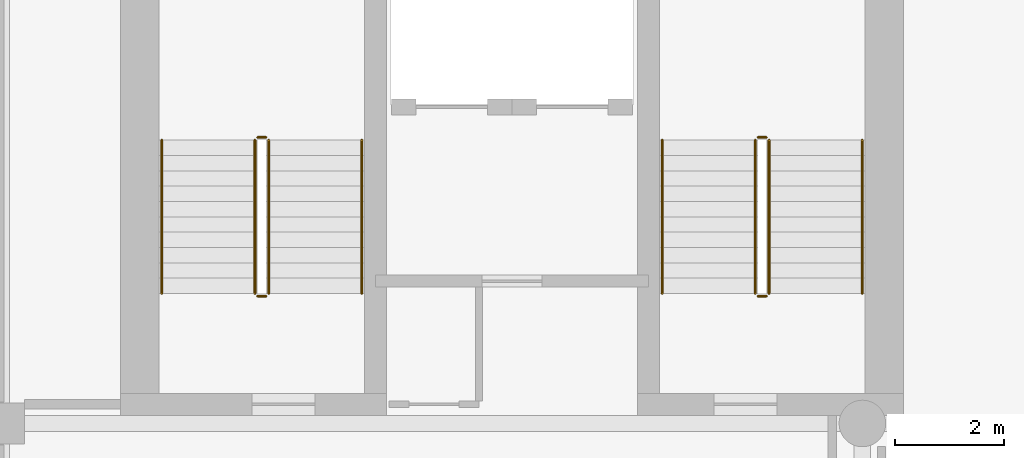
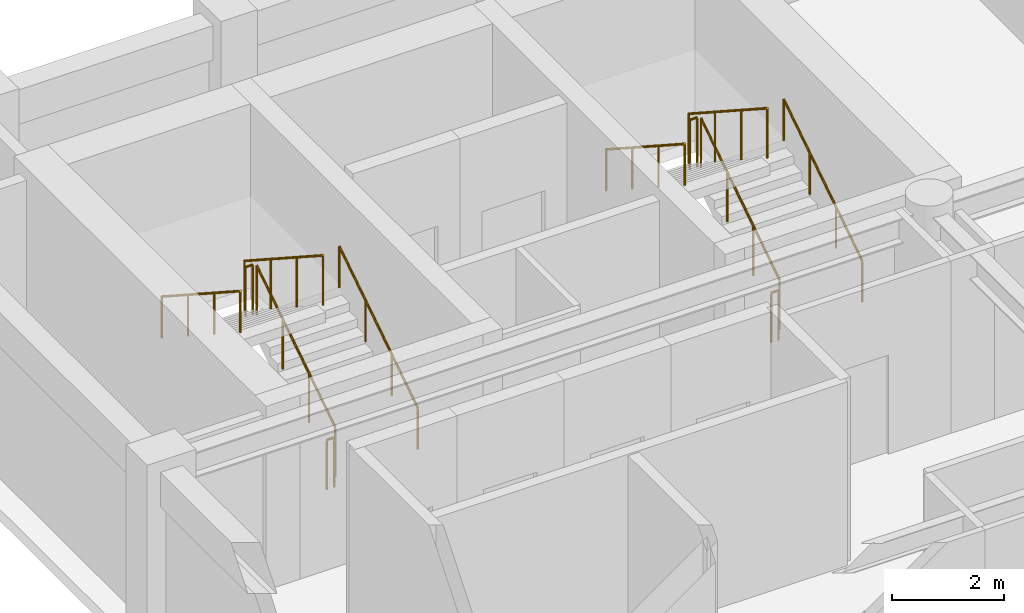
# One storey, part 7 of 8: 12 railings.
"""IFC4 building model written with IfcOpenShell, lengths in metres."""

from ifc_helpers import new_model, si_unit, direction, frame, origin, origin_2d, place, context, subcontext, project, spatial, circle, extrude, material, type_object, element, save


model = new_model("IFC4")

# Units and contexts
model_context = context("Model", 3, precision=1e-05, world=origin(), true_north=direction((0.0, 1.0)))
body_context = subcontext(model_context, "Body", "Model", "MODEL_VIEW")
ifc_project = project(units=[si_unit("LENGTHUNIT", "METRE"), si_unit("AREAUNIT", "SQUARE_METRE"), si_unit("VOLUMEUNIT", "CUBIC_METRE"), si_unit("PLANEANGLEUNIT", "RADIAN"), si_unit("MASSUNIT", "GRAM", prefix="KILO")], contexts=[model_context])

# Site, building, storey
site_placement = place(None, origin())
site = spatial("IfcSite", under=ifc_project, at=site_placement, CompositionType="ELEMENT")
building_placement = place(site_placement, origin())
building = spatial("IfcBuilding", under=site, at=building_placement, Name="Sulina Concourse Tower", CompositionType="ELEMENT")
storey_placement = place(building_placement, frame((0.0, 0.0, 260.60009765625)))
storey = spatial("IfcBuildingStorey", under=building, at=storey_placement, Name="L63", CompositionType="ELEMENT", Elevation=260.60009765625)

# Railings
ifc_material_1 = material(Name="Galvanised steel railing", Category="steel")
railing_type_1 = type_object("IfcRailingType", Name="Core Stair Steel Guardrail 1150mm", PredefinedType="GUARDRAIL", material=ifc_material_1)
railing_1_placement = place(storey_placement, frame((5.554931640625, 36.375, 0.181640625)))
element("IfcRailing", 1, at=railing_1_placement, inside=storey, type_object=railing_type_1, Name="L63 ST-1 stair guard 1", PredefinedType="GUARDRAIL", context=body_context, shape_type="SweptSolid", body=[
    extrude(circle(Radius=0.02392578125, at=origin_2d()), frame((0.0, 0.0, 1.076171875), z_axis=(0.0, 0.838672427954, 0.544636170843), x_axis=(-1.0, 0.0, 0.0)), (0.0, 0.0, 1.0), 3.338623046875),
    extrude(circle(Radius=0.02099609375, at=origin_2d()), origin(), (0.0, 0.0, 1.0), 1.052001953125),
    extrude(circle(Radius=0.02099609375, at=origin_2d()), frame((0.0, 0.933349609375, 0.606201171875)), (0.0, 0.0, 1.0), 1.052001953125),
    extrude(circle(Radius=0.02099609375, at=origin_2d()), frame((0.0, 1.86669921875, 1.212158203125)), (0.0, 0.0, 1.0), 1.052001953125),
    extrude(circle(Radius=0.02099609375, at=origin_2d()), frame((0.0, 2.800048828125, 1.818359375)), (0.0, 0.0, 1.0), 1.052001953125),
])
railing_2_placement = place(storey_placement, frame((5.5048828125, 39.22509765625, 2.0)))
element("IfcRailing", 2, at=railing_2_placement, inside=storey, type_object=railing_type_1, Name="L63 ST-1 stair guard 2", PredefinedType="GUARDRAIL", context=body_context, shape_type="SweptSolid", body=[
    extrude(circle(Radius=0.02392578125, at=origin_2d()), frame((0.0, 0.0, 1.076171875), z_axis=(-1.0, 0.0, 0.0), x_axis=(0.0, -1.0, 0.0)), (0.0, 0.0, 1.0), 0.14990234375),
    extrude(circle(Radius=0.02099609375, at=origin_2d()), origin(), (0.0, 0.0, 1.0), 1.052001953125),
    extrude(circle(Radius=0.02099609375, at=origin_2d()), frame((-0.14990234375, 0.0, 0.0)), (0.0, 0.0, 1.0), 1.052001953125),
])
railing_3_placement = place(storey_placement, frame((5.304931640625, 39.175048828125, 2.181640625)))
element("IfcRailing", 3, at=railing_3_placement, inside=storey, type_object=railing_type_1, Name="L63 ST-1 stair guard 3", PredefinedType="GUARDRAIL", context=body_context, shape_type="SweptSolid", body=[
    extrude(circle(Radius=0.02392578125, at=origin_2d()), frame((0.0, 0.0, 1.076171875), z_axis=(0.0, -0.838672427954, 0.544636170843), x_axis=(1.0, 0.0, 0.0)), (0.0, 0.0, 1.0), 3.338623046875),
    extrude(circle(Radius=0.02099609375, at=origin_2d()), origin(), (0.0, 0.0, 1.0), 1.052001953125),
    extrude(circle(Radius=0.02099609375, at=origin_2d()), frame((0.0, -0.933349609375, 0.606201171875)), (0.0, 0.0, 1.0), 1.052001953125),
    extrude(circle(Radius=0.02099609375, at=origin_2d()), frame((0.0, -1.86669921875, 1.212158203125)), (0.0, 0.0, 1.0), 1.052001953125),
    extrude(circle(Radius=0.02099609375, at=origin_2d()), frame((0.0, -2.800048828125, 1.818359375)), (0.0, 0.0, 1.0), 1.052001953125),
])
railing_4_placement = place(storey_placement, frame((5.5048828125, 36.324951171875, 0.0)))
element("IfcRailing", 4, at=railing_4_placement, inside=storey, type_object=railing_type_1, Name="L63 ST-1 stair guard 4", PredefinedType="GUARDRAIL", context=body_context, shape_type="SweptSolid", body=[
    extrude(circle(Radius=0.02392578125, at=origin_2d()), frame((0.0, 0.0, 1.076171875), z_axis=(-1.0, 0.0, 0.0), x_axis=(0.0, -1.0, 0.0)), (0.0, 0.0, 1.0), 0.14990234375),
    extrude(circle(Radius=0.02099609375, at=origin_2d()), origin(), (0.0, 0.0, 1.0), 1.052001953125),
    extrude(circle(Radius=0.02099609375, at=origin_2d()), frame((-0.14990234375, 0.0, 0.0)), (0.0, 0.0, 1.0), 1.052001953125),
])
railing_5_placement = place(storey_placement, frame((14.695068359375, 36.375, 0.181640625)))
element("IfcRailing", 5, at=railing_5_placement, inside=storey, type_object=railing_type_1, Name="L63 ST-2 stair guard 1", PredefinedType="GUARDRAIL", context=body_context, shape_type="SweptSolid", body=[
    extrude(circle(Radius=0.02392578125, at=origin_2d()), frame((0.0, 0.0, 1.076171875), z_axis=(0.0, 0.838672427954, 0.544636170843), x_axis=(-1.0, 0.0, 0.0)), (0.0, 0.0, 1.0), 3.338623046875),
    extrude(circle(Radius=0.02099609375, at=origin_2d()), origin(), (0.0, 0.0, 1.0), 1.052001953125),
    extrude(circle(Radius=0.02099609375, at=origin_2d()), frame((0.0, 0.933349609375, 0.606201171875)), (0.0, 0.0, 1.0), 1.052001953125),
    extrude(circle(Radius=0.02099609375, at=origin_2d()), frame((0.0, 1.86669921875, 1.212158203125)), (0.0, 0.0, 1.0), 1.052001953125),
    extrude(circle(Radius=0.02099609375, at=origin_2d()), frame((0.0, 2.800048828125, 1.818359375)), (0.0, 0.0, 1.0), 1.052001953125),
])
railing_6_placement = place(storey_placement, frame((14.64501953125, 39.22509765625, 2.0)))
element("IfcRailing", 6, at=railing_6_placement, inside=storey, type_object=railing_type_1, Name="L63 ST-2 stair guard 2", PredefinedType="GUARDRAIL", context=body_context, shape_type="SweptSolid", body=[
    extrude(circle(Radius=0.02392578125, at=origin_2d()), frame((0.0, 0.0, 1.076171875), z_axis=(-1.0, 0.0, 0.0), x_axis=(0.0, -1.0, 0.0)), (0.0, 0.0, 1.0), 0.14990234375),
    extrude(circle(Radius=0.02099609375, at=origin_2d()), origin(), (0.0, 0.0, 1.0), 1.052001953125),
    extrude(circle(Radius=0.02099609375, at=origin_2d()), frame((-0.14990234375, 0.0, 0.0)), (0.0, 0.0, 1.0), 1.052001953125),
])
railing_7_placement = place(storey_placement, frame((14.445068359375, 39.175048828125, 2.181640625)))
element("IfcRailing", 7, at=railing_7_placement, inside=storey, type_object=railing_type_1, Name="L63 ST-2 stair guard 3", PredefinedType="GUARDRAIL", context=body_context, shape_type="SweptSolid", body=[
    extrude(circle(Radius=0.02392578125, at=origin_2d()), frame((0.0, 0.0, 1.076171875), z_axis=(0.0, -0.838672427954, 0.544636170843), x_axis=(1.0, 0.0, 0.0)), (0.0, 0.0, 1.0), 3.338623046875),
    extrude(circle(Radius=0.02099609375, at=origin_2d()), origin(), (0.0, 0.0, 1.0), 1.052001953125),
    extrude(circle(Radius=0.02099609375, at=origin_2d()), frame((0.0, -0.933349609375, 0.606201171875)), (0.0, 0.0, 1.0), 1.052001953125),
    extrude(circle(Radius=0.02099609375, at=origin_2d()), frame((0.0, -1.86669921875, 1.212158203125)), (0.0, 0.0, 1.0), 1.052001953125),
    extrude(circle(Radius=0.02099609375, at=origin_2d()), frame((0.0, -2.800048828125, 1.818359375)), (0.0, 0.0, 1.0), 1.052001953125),
])
railing_8_placement = place(storey_placement, frame((14.64501953125, 36.324951171875, 0.0)))
element("IfcRailing", 8, at=railing_8_placement, inside=storey, type_object=railing_type_1, Name="L63 ST-2 stair guard 4", PredefinedType="GUARDRAIL", context=body_context, shape_type="SweptSolid", body=[
    extrude(circle(Radius=0.02392578125, at=origin_2d()), frame((0.0, 0.0, 1.076171875), z_axis=(-1.0, 0.0, 0.0), x_axis=(0.0, -1.0, 0.0)), (0.0, 0.0, 1.0), 0.14990234375),
    extrude(circle(Radius=0.02099609375, at=origin_2d()), origin(), (0.0, 0.0, 1.0), 1.052001953125),
    extrude(circle(Radius=0.02099609375, at=origin_2d()), frame((-0.14990234375, 0.0, 0.0)), (0.0, 0.0, 1.0), 1.052001953125),
])
ifc_material_2 = material(Name="Galvanised steel railing", Category="steel")
railing_type_2 = type_object("IfcRailingType", Name="Stair Wall Steel Handrail 920mm", PredefinedType="HANDRAIL", material=ifc_material_2)
railing_9_placement = place(storey_placement, frame((7.2548828125, 36.375, 0.181640625)))
element("IfcRailing", 9, at=railing_9_placement, inside=storey, type_object=railing_type_2, Name="L63 ST-1 stair handrail 1", PredefinedType="HANDRAIL", context=body_context, shape_type="SweptSolid", body=[
    extrude(circle(Radius=0.02392578125, at=origin_2d()), frame((0.0, 0.0, 0.89599609375), z_axis=(0.0, 0.838672427954, 0.544636170843), x_axis=(-1.0, 0.0, 0.0)), (0.0, 0.0, 1.0), 3.338623046875),
    extrude(circle(Radius=0.02099609375, at=origin_2d()), origin(), (0.0, 0.0, 1.0), 0.871826171875),
    extrude(circle(Radius=0.02099609375, at=origin_2d()), frame((0.0, 0.933349609375, 0.606201171875)), (0.0, 0.0, 1.0), 0.871826171875),
    extrude(circle(Radius=0.02099609375, at=origin_2d()), frame((0.0, 1.86669921875, 1.212158203125)), (0.0, 0.0, 1.0), 0.871826171875),
    extrude(circle(Radius=0.02099609375, at=origin_2d()), frame((0.0, 2.800048828125, 1.818359375)), (0.0, 0.0, 1.0), 0.871826171875),
])
railing_10_placement = place(storey_placement, frame((3.60498046875, 39.175048828125, 2.181640625)))
element("IfcRailing", 10, at=railing_10_placement, inside=storey, type_object=railing_type_2, Name="L63 ST-1 stair handrail 2", PredefinedType="HANDRAIL", context=body_context, shape_type="SweptSolid", body=[
    extrude(circle(Radius=0.02392578125, at=origin_2d()), frame((0.0, 0.0, 0.89599609375), z_axis=(0.0, -0.838672427954, 0.544636170843), x_axis=(1.0, 0.0, 0.0)), (0.0, 0.0, 1.0), 3.338623046875),
    extrude(circle(Radius=0.02099609375, at=origin_2d()), origin(), (0.0, 0.0, 1.0), 0.871826171875),
    extrude(circle(Radius=0.02099609375, at=origin_2d()), frame((0.0, -0.933349609375, 0.606201171875)), (0.0, 0.0, 1.0), 0.871826171875),
    extrude(circle(Radius=0.02099609375, at=origin_2d()), frame((0.0, -1.86669921875, 1.212158203125)), (0.0, 0.0, 1.0), 0.871826171875),
    extrude(circle(Radius=0.02099609375, at=origin_2d()), frame((0.0, -2.800048828125, 1.818359375)), (0.0, 0.0, 1.0), 0.871826171875),
])
railing_11_placement = place(storey_placement, frame((16.39501953125, 36.375, 0.181640625)))
element("IfcRailing", 11, at=railing_11_placement, inside=storey, type_object=railing_type_2, Name="L63 ST-2 stair handrail 1", PredefinedType="HANDRAIL", context=body_context, shape_type="SweptSolid", body=[
    extrude(circle(Radius=0.02392578125, at=origin_2d()), frame((0.0, 0.0, 0.89599609375), z_axis=(0.0, 0.838672427954, 0.544636170843), x_axis=(-1.0, 0.0, 0.0)), (0.0, 0.0, 1.0), 3.338623046875),
    extrude(circle(Radius=0.02099609375, at=origin_2d()), origin(), (0.0, 0.0, 1.0), 0.871826171875),
    extrude(circle(Radius=0.02099609375, at=origin_2d()), frame((0.0, 0.933349609375, 0.606201171875)), (0.0, 0.0, 1.0), 0.871826171875),
    extrude(circle(Radius=0.02099609375, at=origin_2d()), frame((0.0, 1.86669921875, 1.212158203125)), (0.0, 0.0, 1.0), 0.871826171875),
    extrude(circle(Radius=0.02099609375, at=origin_2d()), frame((0.0, 2.800048828125, 1.818359375)), (0.0, 0.0, 1.0), 0.871826171875),
])
railing_12_placement = place(storey_placement, frame((12.7451171875, 39.175048828125, 2.181640625)))
element("IfcRailing", 12, at=railing_12_placement, inside=storey, type_object=railing_type_2, Name="L63 ST-2 stair handrail 2", PredefinedType="HANDRAIL", context=body_context, shape_type="SweptSolid", body=[
    extrude(circle(Radius=0.02392578125, at=origin_2d()), frame((0.0, 0.0, 0.89599609375), z_axis=(0.0, -0.838672427954, 0.544636170843), x_axis=(1.0, 0.0, 0.0)), (0.0, 0.0, 1.0), 3.338623046875),
    extrude(circle(Radius=0.02099609375, at=origin_2d()), origin(), (0.0, 0.0, 1.0), 0.871826171875),
    extrude(circle(Radius=0.02099609375, at=origin_2d()), frame((0.0, -0.933349609375, 0.606201171875)), (0.0, 0.0, 1.0), 0.871826171875),
    extrude(circle(Radius=0.02099609375, at=origin_2d()), frame((0.0, -1.86669921875, 1.212158203125)), (0.0, 0.0, 1.0), 0.871826171875),
    extrude(circle(Radius=0.02099609375, at=origin_2d()), frame((0.0, -2.800048828125, 1.818359375)), (0.0, 0.0, 1.0), 0.871826171875),
])

save(model, "model.ifc")
